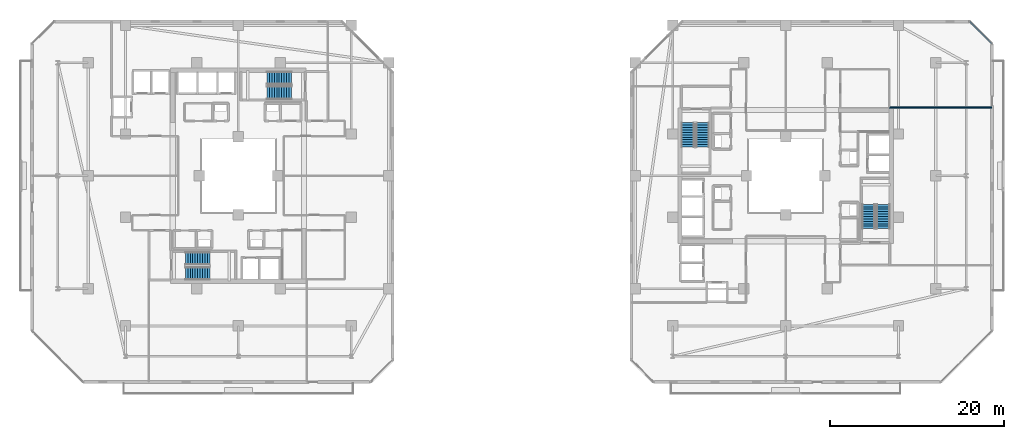
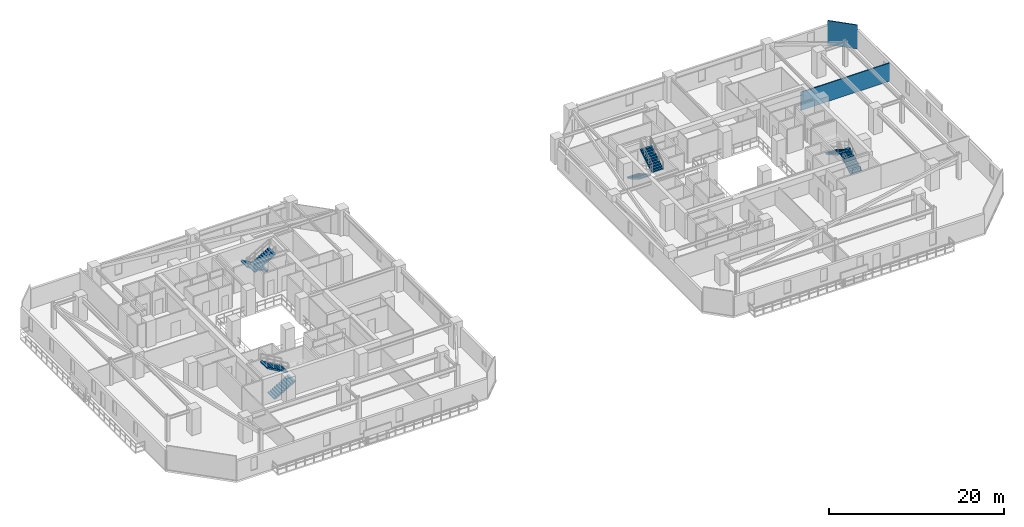
# One storey, part 25 of 32: 8 stair flights, 2 walls, 4 elements without a shape of their own.
"""IFC4 building model written with IfcOpenShell, lengths in metres."""

from ifc_helpers import new_model, si_unit, direction, frame, frame_2d, origin, place, context, subcontext, project, spatial, polyline, rectangle, outline, extrude, material, layer, layer_set, type_object, element, aggregate, save


model = new_model("IFC4")

# Units and contexts
model_context = context("Model", 3, precision=1e-05, world=origin(), true_north=direction((0.0, 1.0)))
body_context = subcontext(model_context, "Body", "Model", "MODEL_VIEW")
ifc_project = project(units=[si_unit("LENGTHUNIT", "METRE"), si_unit("AREAUNIT", "SQUARE_METRE"), si_unit("VOLUMEUNIT", "CUBIC_METRE"), si_unit("PLANEANGLEUNIT", "RADIAN"), si_unit("MASSUNIT", "GRAM", prefix="KILO")], contexts=[model_context])

# Site, building, storey
site_placement = place(None, origin())
site = spatial("IfcSite", under=ifc_project, at=site_placement, CompositionType="ELEMENT")
building_placement = place(site_placement, origin())
building = spatial("IfcBuilding", under=site, at=building_placement, Name="Thornwick Lancets Civic Towers", CompositionType="ELEMENT")
storey_placement = place(building_placement, frame((0.0, 0.0, 123.300048828125)))
storey = spatial("IfcBuildingStorey", under=building, at=storey_placement, Name="L32", CompositionType="ELEMENT", Elevation=123.300048828125)

# Walls
ifc_material_1 = material(Name="Acoustic gypsum board partition")
ifc_layer = layer(ifc_material_1, 0.1201171875, Name="Acoustic gypsum board partition")
ifc_layer_set = layer_set([ifc_layer], Name="Acoustic gypsum board partition")
wall_type = type_object("IfcWallType", Name="WALL_PART_120", PredefinedType="PARTITIONING", material=ifc_layer_set)
wall_1_placement = place(storey_placement, frame((109.725341796875, 44.719970703125, 0.0), z_axis=(0.0, 0.0, 1.0), x_axis=(0.707106781187, -0.707106781187, 0.0)))
element("IfcWall", 1, at=wall_1_placement, inside=storey, type_object=wall_type, Name="L32 Partition L32-B-E1 E8", PredefinedType="PARTITIONING", context=body_context, shape_type="SweptSolid", body=[
    extrude(rectangle(XDim=3.52783203125, YDim=0.1201171875, at=frame_2d((1.763916015625, 0.0))), origin(), (0.0, 0.0, 1.0), 3.33984375),
])
wall_2_placement = place(storey_placement, frame((112.219970703125, 34.85009765625, 0.0), z_axis=(0.0, 0.0, 1.0), x_axis=(-1.0, 0.0, 0.0)))
element("IfcWall", 2, at=wall_2_placement, inside=storey, type_object=wall_type, Name="L32 Partition L32-B-E1 E10", PredefinedType="PARTITIONING", context=body_context, shape_type="SweptSolid", body=[
    extrude(rectangle(XDim=11.77001953125, YDim=0.1201171875, at=frame_2d((5.885009765625, 0.0))), origin(), (0.0, 0.0, 1.0), 2.544921875),
])

# Stair, stair flights
ifc_material_2 = material(Name="Concrete C40/50", Category="concrete")
stair_type = type_object("IfcStairType", Name="STAIR_DL_3600", PredefinedType="HALF_TURN_STAIR", material=ifc_material_2)
stair_1_placement = place(storey_placement, origin())
stair_1 = element("IfcStair", 3, at=stair_1_placement, inside=storey, type_object=stair_type, Name="L32 Tower A South Exit Stair ST-A1", PredefinedType="HALF_TURN_STAIR")
stair_flight_type = type_object("IfcStairFlightType", Name="FLIGHT_3600", PredefinedType="STRAIGHT", material=ifc_material_2)
stair_flight_1_placement = place(storey_placement, frame((19.39990234375, 15.75, 0.0), z_axis=(0.0, 0.0, 1.0), x_axis=(1.0, 0.0, 0.0)))
stair_flight_1 = element("IfcStairFlight", 4, at=stair_flight_1_placement, type_object=stair_flight_type, Name="ST-A1 flight 1", NumberOfRisers=11, NumberOfTreads=10, PredefinedType="STRAIGHT", RiserHeight=0.163636364, TreadLength=0.28, context=body_context, shape_type="SweptSolid", body=[
    extrude(outline(polyline([(0.0, 0.0), (0.0, 0.16357421875), (0.280029296875, 0.16357421875), (0.280029296875, 0.327392578125), (0.56005859375, 0.327392578125), (0.56005859375, 0.490966796875), (0.840087890625, 0.490966796875), (0.840087890625, 0.654541015625), (1.1201171875, 0.654541015625), (1.1201171875, 0.818115234375), (1.39990234375, 0.818115234375), (1.39990234375, 0.98193359375), (1.679931640625, 0.98193359375), (1.679931640625, 1.1455078125), (1.9599609375, 1.1455078125), (1.9599609375, 1.30908203125), (2.239990234375, 1.30908203125), (2.239990234375, 1.47265625), (2.52001953125, 1.47265625), (2.52001953125, 1.636474609375), (2.800048828125, 1.636474609375), (2.800048828125, 1.800048828125), (2.800048828125, 1.462646484375), (0.297119140625, 0.0), (0.0, 0.0)])), frame((0.0, 0.75, 0.0), z_axis=(0.0, -1.0, 0.0), x_axis=(1.0, 0.0, 0.0)), (0.0, 0.0, 1.0), 1.5),
])
stair_flight_2_placement = place(storey_placement, frame((22.199951171875, 17.449951171875, 1.800048828125), z_axis=(0.0, 0.0, 1.0), x_axis=(-1.0, 0.0, 0.0)))
stair_flight_2 = element("IfcStairFlight", 5, at=stair_flight_2_placement, type_object=stair_flight_type, Name="ST-A1 flight 2", NumberOfRisers=11, NumberOfTreads=10, PredefinedType="STRAIGHT", RiserHeight=0.163636364, TreadLength=0.28, context=body_context, shape_type="SweptSolid", body=[
    extrude(outline(polyline([(0.0, 0.0), (0.0, 0.16357421875), (0.280029296875, 0.16357421875), (0.280029296875, 0.327392578125), (0.56005859375, 0.327392578125), (0.56005859375, 0.490966796875), (0.840087890625, 0.490966796875), (0.840087890625, 0.654541015625), (1.1201171875, 0.654541015625), (1.1201171875, 0.818115234375), (1.39990234375, 0.818115234375), (1.39990234375, 0.98193359375), (1.679931640625, 0.98193359375), (1.679931640625, 1.1455078125), (1.9599609375, 1.1455078125), (1.9599609375, 1.30908203125), (2.239990234375, 1.30908203125), (2.239990234375, 1.47265625), (2.52001953125, 1.47265625), (2.52001953125, 1.636474609375), (2.800048828125, 1.636474609375), (2.800048828125, 1.800048828125), (2.800048828125, 1.462646484375), (0.297119140625, 0.0), (0.0, 0.0)])), frame((0.0, 0.75, 0.0), z_axis=(0.0, -1.0, 0.0), x_axis=(1.0, 0.0, 0.0)), (0.0, 0.0, 1.0), 1.5),
])
aggregate(stair_1, [stair_flight_1, stair_flight_2])

stair_2_placement = place(storey_placement, origin())
stair_2 = element("IfcStair", 6, at=stair_2_placement, inside=storey, type_object=stair_type, Name="L32 Tower A North Exit Stair ST-A2", PredefinedType="HALF_TURN_STAIR")
stair_flight_3_placement = place(storey_placement, frame((31.60009765625, 38.25, 0.0), z_axis=(0.0, 0.0, 1.0), x_axis=(-1.0, 0.0, 0.0)))
stair_flight_3 = element("IfcStairFlight", 7, at=stair_flight_3_placement, type_object=stair_flight_type, Name="ST-A2 flight 1", NumberOfRisers=11, NumberOfTreads=10, PredefinedType="STRAIGHT", RiserHeight=0.163636364, TreadLength=0.28, context=body_context, shape_type="SweptSolid", body=[
    extrude(outline(polyline([(0.0, 0.0), (0.0, 0.16357421875), (0.280029296875, 0.16357421875), (0.280029296875, 0.327392578125), (0.56005859375, 0.327392578125), (0.56005859375, 0.490966796875), (0.840087890625, 0.490966796875), (0.840087890625, 0.654541015625), (1.1201171875, 0.654541015625), (1.1201171875, 0.818115234375), (1.39990234375, 0.818115234375), (1.39990234375, 0.98193359375), (1.679931640625, 0.98193359375), (1.679931640625, 1.1455078125), (1.9599609375, 1.1455078125), (1.9599609375, 1.30908203125), (2.239990234375, 1.30908203125), (2.239990234375, 1.47265625), (2.52001953125, 1.47265625), (2.52001953125, 1.636474609375), (2.800048828125, 1.636474609375), (2.800048828125, 1.800048828125), (2.800048828125, 1.462646484375), (0.297119140625, 0.0), (0.0, 0.0)])), frame((0.0, 0.75, 0.0), z_axis=(0.0, -1.0, 0.0), x_axis=(1.0, 0.0, 0.0)), (0.0, 0.0, 1.0), 1.5),
])
stair_flight_4_placement = place(storey_placement, frame((28.800048828125, 36.550048828125, 1.800048828125), z_axis=(0.0, 0.0, 1.0), x_axis=(1.0, 0.0, 0.0)))
stair_flight_4 = element("IfcStairFlight", 8, at=stair_flight_4_placement, type_object=stair_flight_type, Name="ST-A2 flight 2", NumberOfRisers=11, NumberOfTreads=10, PredefinedType="STRAIGHT", RiserHeight=0.163636364, TreadLength=0.28, context=body_context, shape_type="SweptSolid", body=[
    extrude(outline(polyline([(0.0, 0.0), (0.0, 0.16357421875), (0.280029296875, 0.16357421875), (0.280029296875, 0.327392578125), (0.56005859375, 0.327392578125), (0.56005859375, 0.490966796875), (0.840087890625, 0.490966796875), (0.840087890625, 0.654541015625), (1.1201171875, 0.654541015625), (1.1201171875, 0.818115234375), (1.39990234375, 0.818115234375), (1.39990234375, 0.98193359375), (1.679931640625, 0.98193359375), (1.679931640625, 1.1455078125), (1.9599609375, 1.1455078125), (1.9599609375, 1.30908203125), (2.239990234375, 1.30908203125), (2.239990234375, 1.47265625), (2.52001953125, 1.47265625), (2.52001953125, 1.636474609375), (2.800048828125, 1.636474609375), (2.800048828125, 1.800048828125), (2.800048828125, 1.462646484375), (0.297119140625, 0.0), (0.0, 0.0)])), frame((0.0, 0.75, 0.0), z_axis=(0.0, -1.0, 0.0), x_axis=(1.0, 0.0, 0.0)), (0.0, 0.0, 1.0), 1.5),
])
aggregate(stair_2, [stair_flight_3, stair_flight_4])

stair_3_placement = place(storey_placement, origin())
stair_3 = element("IfcStair", 9, at=stair_3_placement, inside=storey, type_object=stair_type, Name="L32 Tower B East Exit Stair ST-B1", PredefinedType="HALF_TURN_STAIR")
stair_flight_5_placement = place(storey_placement, frame((99.75, 20.89990234375, 0.0), z_axis=(0.0, 0.0, 1.0), x_axis=(0.0, 1.0, 0.0)))
stair_flight_5 = element("IfcStairFlight", 10, at=stair_flight_5_placement, type_object=stair_flight_type, Name="ST-B1 flight 1", NumberOfRisers=11, NumberOfTreads=10, PredefinedType="STRAIGHT", RiserHeight=0.163636364, TreadLength=0.28, context=body_context, shape_type="SweptSolid", body=[
    extrude(outline(polyline([(0.0, 0.0), (0.0, 0.16357421875), (0.280029296875, 0.16357421875), (0.280029296875, 0.327392578125), (0.56005859375, 0.327392578125), (0.56005859375, 0.490966796875), (0.840087890625, 0.490966796875), (0.840087890625, 0.654541015625), (1.1201171875, 0.654541015625), (1.1201171875, 0.818115234375), (1.39990234375, 0.818115234375), (1.39990234375, 0.98193359375), (1.679931640625, 0.98193359375), (1.679931640625, 1.1455078125), (1.9599609375, 1.1455078125), (1.9599609375, 1.30908203125), (2.239990234375, 1.30908203125), (2.239990234375, 1.47265625), (2.52001953125, 1.47265625), (2.52001953125, 1.636474609375), (2.800048828125, 1.636474609375), (2.800048828125, 1.800048828125), (2.800048828125, 1.462646484375), (0.297119140625, 0.0), (0.0, 0.0)])), frame((0.0, 0.75, 0.0), z_axis=(0.0, -1.0, 0.0), x_axis=(1.0, 0.0, 0.0)), (0.0, 0.0, 1.0), 1.5),
])
stair_flight_6_placement = place(storey_placement, frame((98.050048828125, 23.699951171875, 1.800048828125), z_axis=(0.0, 0.0, 1.0), x_axis=(0.0, -1.0, 0.0)))
stair_flight_6 = element("IfcStairFlight", 11, at=stair_flight_6_placement, type_object=stair_flight_type, Name="ST-B1 flight 2", NumberOfRisers=11, NumberOfTreads=10, PredefinedType="STRAIGHT", RiserHeight=0.163636364, TreadLength=0.28, context=body_context, shape_type="SweptSolid", body=[
    extrude(outline(polyline([(0.0, 0.0), (0.0, 0.16357421875), (0.280029296875, 0.16357421875), (0.280029296875, 0.327392578125), (0.56005859375, 0.327392578125), (0.56005859375, 0.490966796875), (0.840087890625, 0.490966796875), (0.840087890625, 0.654541015625), (1.1201171875, 0.654541015625), (1.1201171875, 0.818115234375), (1.39990234375, 0.818115234375), (1.39990234375, 0.98193359375), (1.679931640625, 0.98193359375), (1.679931640625, 1.1455078125), (1.9599609375, 1.1455078125), (1.9599609375, 1.30908203125), (2.239990234375, 1.30908203125), (2.239990234375, 1.47265625), (2.52001953125, 1.47265625), (2.52001953125, 1.636474609375), (2.800048828125, 1.636474609375), (2.800048828125, 1.800048828125), (2.800048828125, 1.462646484375), (0.297119140625, 0.0), (0.0, 0.0)])), frame((0.0, 0.75, 0.0), z_axis=(0.0, -1.0, 0.0), x_axis=(1.0, 0.0, 0.0)), (0.0, 0.0, 1.0), 1.5),
])
aggregate(stair_3, [stair_flight_5, stair_flight_6])

stair_4_placement = place(storey_placement, origin())
stair_4 = element("IfcStair", 12, at=stair_4_placement, inside=storey, type_object=stair_type, Name="L32 Tower B West Exit Stair ST-B2", PredefinedType="HALF_TURN_STAIR")
stair_flight_7_placement = place(storey_placement, frame((77.25, 33.10009765625, 0.0), z_axis=(0.0, 0.0, 1.0), x_axis=(0.0, -1.0, 0.0)))
stair_flight_7 = element("IfcStairFlight", 13, at=stair_flight_7_placement, type_object=stair_flight_type, Name="ST-B2 flight 1", NumberOfRisers=11, NumberOfTreads=10, PredefinedType="STRAIGHT", RiserHeight=0.163636364, TreadLength=0.28, context=body_context, shape_type="SweptSolid", body=[
    extrude(outline(polyline([(0.0, 0.0), (0.0, 0.16357421875), (0.280029296875, 0.16357421875), (0.280029296875, 0.327392578125), (0.56005859375, 0.327392578125), (0.56005859375, 0.490966796875), (0.840087890625, 0.490966796875), (0.840087890625, 0.654541015625), (1.1201171875, 0.654541015625), (1.1201171875, 0.818115234375), (1.39990234375, 0.818115234375), (1.39990234375, 0.98193359375), (1.679931640625, 0.98193359375), (1.679931640625, 1.1455078125), (1.9599609375, 1.1455078125), (1.9599609375, 1.30908203125), (2.239990234375, 1.30908203125), (2.239990234375, 1.47265625), (2.52001953125, 1.47265625), (2.52001953125, 1.636474609375), (2.800048828125, 1.636474609375), (2.800048828125, 1.800048828125), (2.800048828125, 1.462646484375), (0.297119140625, 0.0), (0.0, 0.0)])), frame((0.0, 0.75, 0.0), z_axis=(0.0, -1.0, 0.0), x_axis=(1.0, 0.0, 0.0)), (0.0, 0.0, 1.0), 1.5),
])
stair_flight_8_placement = place(storey_placement, frame((78.949951171875, 30.300048828125, 1.800048828125), z_axis=(0.0, 0.0, 1.0), x_axis=(0.0, 1.0, 0.0)))
stair_flight_8 = element("IfcStairFlight", 14, at=stair_flight_8_placement, type_object=stair_flight_type, Name="ST-B2 flight 2", NumberOfRisers=11, NumberOfTreads=10, PredefinedType="STRAIGHT", RiserHeight=0.163636364, TreadLength=0.28, context=body_context, shape_type="SweptSolid", body=[
    extrude(outline(polyline([(0.0, 0.0), (0.0, 0.16357421875), (0.280029296875, 0.16357421875), (0.280029296875, 0.327392578125), (0.56005859375, 0.327392578125), (0.56005859375, 0.490966796875), (0.840087890625, 0.490966796875), (0.840087890625, 0.654541015625), (1.1201171875, 0.654541015625), (1.1201171875, 0.818115234375), (1.39990234375, 0.818115234375), (1.39990234375, 0.98193359375), (1.679931640625, 0.98193359375), (1.679931640625, 1.1455078125), (1.9599609375, 1.1455078125), (1.9599609375, 1.30908203125), (2.239990234375, 1.30908203125), (2.239990234375, 1.47265625), (2.52001953125, 1.47265625), (2.52001953125, 1.636474609375), (2.800048828125, 1.636474609375), (2.800048828125, 1.800048828125), (2.800048828125, 1.462646484375), (0.297119140625, 0.0), (0.0, 0.0)])), frame((0.0, 0.75, 0.0), z_axis=(0.0, -1.0, 0.0), x_axis=(1.0, 0.0, 0.0)), (0.0, 0.0, 1.0), 1.5),
])
aggregate(stair_4, [stair_flight_7, stair_flight_8])

save(model, "model.ifc")
